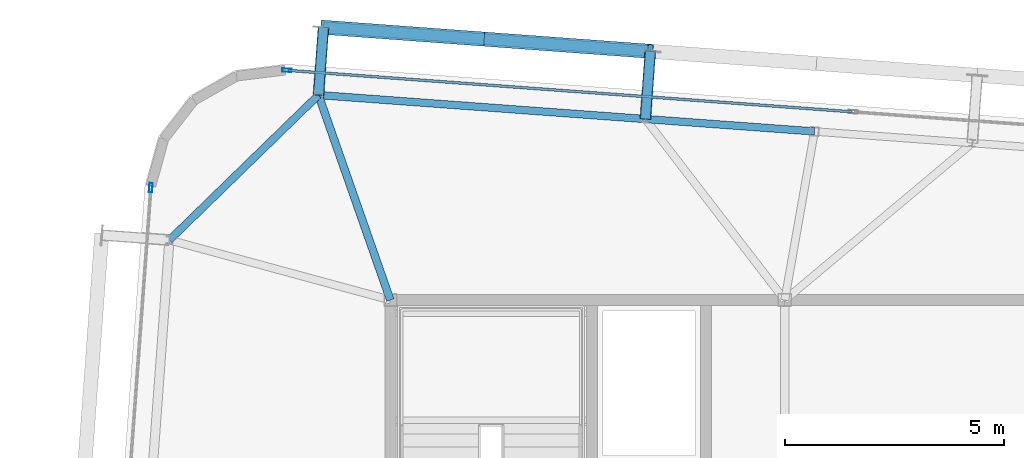
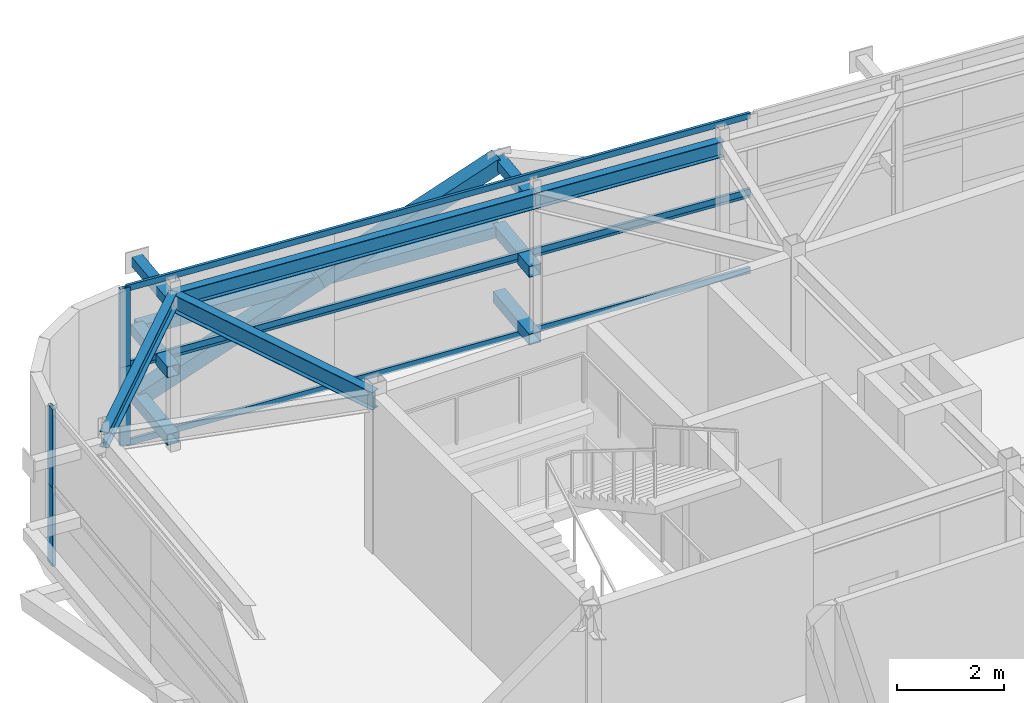
# One storey, part 20 of 35: 17 members, 4 beams, 4 elements without a shape of their own.
"""IFC4 building model written with IfcOpenShell, lengths in metres."""

from ifc_helpers import new_model, si_unit, direction, frame, origin, origin_2d, place, context, subcontext, project, spatial, hollow_rectangle, i_section, extrude, source, transform, mapped, material, layer, layer_set, material_profile, profile_set, type_object, element, aggregate, save


model = new_model("IFC4")

# Units and contexts
model_context = context("Model", 3, precision=1e-05, world=origin(), true_north=direction((0.0, 1.0)))
body_context = subcontext(model_context, "Body", "Model", "MODEL_VIEW")
ifc_project = project(units=[si_unit("LENGTHUNIT", "METRE"), si_unit("AREAUNIT", "SQUARE_METRE"), si_unit("VOLUMEUNIT", "CUBIC_METRE"), si_unit("PLANEANGLEUNIT", "RADIAN"), si_unit("MASSUNIT", "GRAM", prefix="KILO")], contexts=[model_context])

# Site, building, storey
site_placement = place(None, origin())
site = spatial("IfcSite", under=ifc_project, at=site_placement, CompositionType="ELEMENT")
building_placement = place(site_placement, origin())
building = spatial("IfcBuilding", under=site, at=building_placement, Name="Taldren Reach Tower", CompositionType="ELEMENT")
storey_placement = place(building_placement, frame((0.0, 0.0, 249.199951171875)))
storey = spatial("IfcBuildingStorey", under=building, at=storey_placement, Name="L76", CompositionType="ELEMENT", Elevation=249.199951171875)

# Members
ifc_material_1 = material(Name="Steel Gr 350 (C350L0)", Category="steel")
ifc_material_profile_1 = material_profile(ifc_material_1, hollow_rectangle(XDim=0.25, YDim=0.25, WallThickness=0.010009765625, at=origin_2d()), Name="250x250x10.0SHS")
ifc_profile_set_1 = profile_set([ifc_material_profile_1], Name="Steel Gr 350 (C350L0)")
member_type_1 = type_object("IfcMemberType", Name="MB-POST250", PredefinedType="POST", material=ifc_profile_set_1)
shared_shape_1 = source(origin(), body_context, "Body", "SweptSolid", [
    extrude(hollow_rectangle(XDim=0.25, YDim=0.25, WallThickness=0.010009765625, at=origin_2d()), origin(), (0.0, 0.0, 1.0), 1.5498046875),
])
for number, where, z_axis, x_axis, name in (
    (1, (17.35986328125, 36.678955078125, 0.219970703125), (0.073250797913, 0.997313551801, 0.0), (-0.997313551801, 0.073250797913, 0.0), "Exoskeleton base diaphragm tie strut B5-N1 L76"),
    (2, (17.35986328125, 36.678955078125, 1.755126953125), (0.073250797913, 0.997313551801, 0.0), (-0.997313551801, 0.073250797913, 0.0), "Exoskeleton mid-tier diaphragm tie B5-N1 L76"),
):
    element("IfcMember", number, at=place(storey_placement, frame(where, z_axis=z_axis, x_axis=x_axis)), inside=storey, type_object=member_type_1, Name=name, PredefinedType="POST", context=body_context, shape_type="MappedRepresentation", body=[
        mapped(shared_shape_1, transform((0.0, 0.0, 0.0), scale=1.0)),
    ])
shared_shape_2 = source(origin(), body_context, "Body", "SweptSolid", [
    extrude(hollow_rectangle(XDim=0.25, YDim=0.25, WallThickness=0.010009765625, at=origin_2d()), origin(), (0.0, 0.0, 1.0), 1.550048828125),
])
for number, where, z_axis, x_axis, name in (
    (3, (24.819580078125, 36.131103515625, 0.219970703125), (0.07323929162, 0.997314396849, 0.0), (-0.997314396849, 0.07323929162, 0.0), "Exoskeleton base diaphragm tie strut B5-N2 L76"),
    (4, (24.819580078125, 36.131103515625, 1.755126953125), (0.07323929162, 0.997314396849, 0.0), (-0.997314396849, 0.07323929162, 0.0), "Exoskeleton mid-tier diaphragm tie B5-N2 L76"),
):
    element("IfcMember", number, at=place(storey_placement, frame(where, z_axis=z_axis, x_axis=x_axis)), inside=storey, type_object=member_type_1, Name=name, PredefinedType="POST", context=body_context, shape_type="MappedRepresentation", body=[
        mapped(shared_shape_2, transform((0.0, 0.0, 0.0), scale=1.0)),
    ])
ifc_material_2 = material(Name="Steel Gr 450 (C450L0)", Category="steel")
ifc_material_profile_2 = material_profile(ifc_material_2, hollow_rectangle(XDim=0.219970703125, YDim=0.219970703125, WallThickness=0.00830078125, at=origin_2d()), Name="220x220x8.2SHS")
ifc_profile_set_2 = profile_set([ifc_material_profile_2], Name="Steel Gr 450 (C450L0)")
member_type_2 = type_object("IfcMemberType", Name="MB-TIE219", PredefinedType="STRUT", material=ifc_profile_set_2)
shared_shape_3 = source(origin(), body_context, "Body", "SweptSolid", [
    extrude(hollow_rectangle(XDim=0.219970703125, YDim=0.219970703125, WallThickness=0.00830078125, at=origin_2d()), origin(), (0.0, 0.0, 1.0), 1.5498046875),
])
member_1_placement = place(storey_placement, frame((17.35986328125, 36.678955078125, 3.2900390625), z_axis=(0.073250797913, 0.997313551801, 0.0), x_axis=(-0.997313551801, 0.073250797913, 0.0)))
element("IfcMember", 5, at=member_1_placement, inside=storey, type_object=member_type_2, Name="Exoskeleton diaphragm tie strut B5-N1 L76", PredefinedType="STRUT", context=body_context, shape_type="MappedRepresentation", body=[
    mapped(shared_shape_3, transform((0.0, 0.0, 0.0), scale=1.0)),
])
shared_shape_4 = source(origin(), body_context, "Body", "SweptSolid", [
    extrude(hollow_rectangle(XDim=0.219970703125, YDim=0.219970703125, WallThickness=0.00830078125, at=origin_2d()), origin(), (0.0, 0.0, 1.0), 1.550048828125),
])
member_2_placement = place(storey_placement, frame((24.819580078125, 36.131103515625, 3.2900390625), z_axis=(0.07323929162, 0.997314396849, 0.0), x_axis=(-0.997314396849, 0.07323929162, 0.0)))
element("IfcMember", 6, at=member_2_placement, inside=storey, type_object=member_type_2, Name="Exoskeleton diaphragm tie strut B5-N2 L76", PredefinedType="STRUT", context=body_context, shape_type="MappedRepresentation", body=[
    mapped(shared_shape_4, transform((0.0, 0.0, 0.0), scale=1.0)),
])

# Beams
ifc_material_3 = material(Name="Steel Gr 350 (350PLUS)", Category="steel")
ifc_material_profile_3 = material_profile(ifc_material_3, i_section(OverallWidth=0.172119140625, OverallDepth=0.35888671875, WebThickness=0.008056640625, FlangeThickness=0.012939453125, at=origin_2d()), Name="360UB56.7")
ifc_profile_set_3 = profile_set([ifc_material_profile_3], Name="Steel Gr 350 (350PLUS)")
beam_type_1 = type_object("IfcBeamType", Name="SP-UB360", PredefinedType="SPANDREL", material=ifc_profile_set_3)
shared_shape_5 = source(origin(), body_context, "Body", "SweptSolid", [
    extrude(i_section(OverallWidth=0.172119140625, OverallDepth=0.35888671875, WebThickness=0.008056640625, FlangeThickness=0.012939453125, at=origin_2d()), origin(), (0.0, 0.0, 1.0), 7.479736328125),
])
beam_1_placement = place(storey_placement, frame((24.819580078125, 36.131103515625, 3.390625), z_axis=(-0.997314045547, 0.073244075215, 0.0), x_axis=(-0.073244075215, -0.997314045547, 0.0)))
element("IfcBeam", 7, at=beam_1_placement, inside=storey, type_object=beam_type_1, Name="Perimeter spandrel B5 N2-N1 L76", PredefinedType="SPANDREL", context=body_context, shape_type="MappedRepresentation", body=[
    mapped(shared_shape_5, transform((0.0, 0.0, 0.0), scale=1.0)),
])
shared_shape_6 = source(origin(), body_context, "Body", "SweptSolid", [
    extrude(i_section(OverallWidth=0.172119140625, OverallDepth=0.35888671875, WebThickness=0.008056640625, FlangeThickness=0.012939453125, at=origin_2d()), origin(), (0.0, 0.0, 1.0), 4.74609375),
])
beam_2_placement = place(storey_placement, frame((17.35986328125, 36.678955078125, 3.390625), z_axis=(-0.716711338436, -0.697369957309, 0.0), x_axis=(0.697369957309, -0.716711338436, 0.0)))
element("IfcBeam", 8, at=beam_2_placement, inside=storey, type_object=beam_type_1, Name="Perimeter spandrel B5 N1-W3 L76", PredefinedType="SPANDREL", context=body_context, shape_type="MappedRepresentation", body=[
    mapped(shared_shape_6, transform((0.0, 0.0, 0.0), scale=1.0)),
])
shared_shape_7 = source(origin(), body_context, "Body", "SweptSolid", [
    extrude(i_section(OverallWidth=0.172119140625, OverallDepth=0.35888671875, WebThickness=0.008056640625, FlangeThickness=0.012939453125, at=origin_2d()), origin(), (0.0, 0.0, 1.0), 3.8701171875),
])
beam_3_placement = place(storey_placement, frame((28.67919921875, 35.84765625, 3.390625), z_axis=(-0.997314202545, 0.073241937451, 0.0), x_axis=(-0.073241937451, -0.997314202545, 0.0)))
element("IfcBeam", 9, at=beam_3_placement, inside=storey, type_object=beam_type_1, Name="Perimeter spandrel B5 PJN1-N2 L76", PredefinedType="SPANDREL", context=body_context, shape_type="MappedRepresentation", body=[
    mapped(shared_shape_7, transform((0.0, 0.0, 0.0), scale=1.0)),
])
ifc_material_profile_4 = material_profile(ifc_material_3, i_section(OverallWidth=0.177978515625, OverallDepth=0.406005859375, WebThickness=0.0078125, FlangeThickness=0.0126953125, at=origin_2d()), Name="410UB59.7")
ifc_profile_set_4 = profile_set([ifc_material_profile_4], Name="Steel Gr 350 (350PLUS)")
beam_type_2 = type_object("IfcBeamType", Name="BM-UB410", PredefinedType="BEAM", material=ifc_profile_set_4)
shared_shape_8 = source(origin(), body_context, "Body", "SweptSolid", [
    extrude(i_section(OverallWidth=0.177978515625, OverallDepth=0.406005859375, WebThickness=0.0078125, FlangeThickness=0.0126953125, at=origin_2d()), origin(), (0.0, 0.0, 1.0), 4.9580078125),
])
beam_4_placement = place(storey_placement, frame((19.0, 32.0, 3.366943359375), z_axis=(-0.330800025288, 0.943700875951, 0.0), x_axis=(-0.943700875951, -0.330800025288, 0.0)))
element("IfcBeam", 10, at=beam_4_placement, inside=storey, type_object=beam_type_2, Name="Primary floor girder B5-N1 L76", PredefinedType="BEAM", context=body_context, shape_type="MappedRepresentation", body=[
    mapped(shared_shape_8, transform((0.0, 0.0, 0.0), scale=1.0)),
])

# Members
shared_shape_9 = source(origin(), body_context, "Body", "SweptSolid", [
    extrude(hollow_rectangle(XDim=0.25, YDim=0.25, WallThickness=0.010009765625, at=origin_2d()), origin(), (0.0, 0.0, 1.0), 7.479736328125),
])
member_3_placement = place(storey_placement, frame((17.473388671875, 38.224609375, 1.755126953125), z_axis=(0.997316429287, -0.07321161024, 0.0), x_axis=(0.07321161024, 0.997316429287, 0.0)))
element("IfcMember", 11, at=member_3_placement, inside=storey, type_object=member_type_1, Name="Exoskeleton mid-height ring chord B5-N1 L76", PredefinedType="POST", context=body_context, shape_type="MappedRepresentation", body=[
    mapped(shared_shape_9, transform((0.0, 0.0, 0.0), scale=1.0)),
])
ifc_material_profile_5 = material_profile(ifc_material_2, hollow_rectangle(XDim=0.324951171875, YDim=0.324951171875, WallThickness=0.0126953125, at=origin_2d()), Name="325x325x12.7SHS")
ifc_profile_set_5 = profile_set([ifc_material_profile_5], Name="Steel Gr 450 (C450L0)")
member_type_3 = type_object("IfcMemberType", Name="MB-BR324", PredefinedType="BRACE", material=ifc_profile_set_5)
shared_shape_10 = source(origin(), body_context, "Body", "SweptSolid", [
    extrude(hollow_rectangle(XDim=0.324951171875, YDim=0.324951171875, WallThickness=0.0126953125, at=origin_2d()), origin(), (0.0, 0.0, 1.0), 4.042724609375),
])
member_4_placement = place(storey_placement, frame((17.473388671875, 38.224609375, 0.219970703125), z_axis=(0.922615641565, -0.067755907176, 0.37972294503), x_axis=(0.07324169103, 0.997314220642, 0.0)))
element("IfcMember", 12, at=member_4_placement, inside=storey, type_object=member_type_3, Name="Exoskeleton Diagrid Brace B5-N1 L76", PredefinedType="BRACE", context=body_context, shape_type="MappedRepresentation", body=[
    mapped(shared_shape_10, transform((0.0, 0.0, 0.0), scale=1.0)),
])
shared_shape_11 = source(origin(), body_context, "Body", "SweptSolid", [
    extrude(hollow_rectangle(XDim=0.324951171875, YDim=0.324951171875, WallThickness=0.0126953125, at=origin_2d()), origin(), (0.0, 0.0, 1.0), 4.04248046875),
])
member_5_placement = place(storey_placement, frame((21.203369140625, 37.95068359375, 1.755126953125), z_axis=(0.922631587826, -0.067701119981, 0.379693970849), x_axis=(0.073181527281, 0.997318637179, 0.0)))
element("IfcMember", 13, at=member_5_placement, inside=storey, type_object=member_type_3, Name="Exoskeleton Diagrid Brace B5-N1 L76", PredefinedType="BRACE", context=body_context, shape_type="MappedRepresentation", body=[
    mapped(shared_shape_11, transform((0.0, 0.0, 0.0), scale=1.0)),
])

# Curtain wall, members
ifc_material_4 = material(Name="Aluminium and Low-E Glass Unitised System", Category="aluminium")
ifc_layer = layer(ifc_material_4, 0.159912109375)
ifc_layer_set = layer_set([ifc_layer], Name="Aluminium and Low-E Glass Unitised System")
curtain_wall_type = type_object("IfcCurtainWallType", Name="CW-SYS-6", PredefinedType="NOTDEFINED", material=ifc_layer_set)
curtain_wall_1_placement = place(storey_placement, origin())
curtain_wall_1 = element("IfcCurtainWall", 14, at=curtain_wall_1_placement, inside=storey, type_object=curtain_wall_type, Name="Unitised curtain wall CW-L76-N", PredefinedType="NOTDEFINED")
ifc_material_5 = material(Name="Anodised Aluminium 6063-T6", Category="aluminium")
ifc_material_profile_6 = material_profile(ifc_material_5, hollow_rectangle(XDim=0.06005859375, YDim=0.135009765625, WallThickness=0.00341796875, at=origin_2d()), Name="ALU-135x60x3.5RHS")
ifc_profile_set_6 = profile_set([ifc_material_profile_6], Name="Anodised Aluminium 6063-T6")
member_type_4 = type_object("IfcMemberType", Name="CW-TRN-150", PredefinedType="USERDEFINED", material=ifc_profile_set_6)
shared_shape_12 = source(origin(), body_context, "Body", "SweptSolid", [
    extrude(hollow_rectangle(XDim=0.06005859375, YDim=0.135009765625, WallThickness=0.00341796875, at=origin_2d()), origin(), (0.0, 0.0, 1.0), 12.887451171875),
])
member_6_placement = place(storey_placement, frame((29.52685546875, 36.296630859375, 0.030029296875), z_axis=(-0.997314487101, 0.07323806263, 0.0), x_axis=(-0.07323806263, -0.997314487101, 0.0)))
member_6 = element("IfcMember", 15, at=member_6_placement, type_object=member_type_4, Name="CW-6 transom 3.1", ObjectType="TRANSOM", PredefinedType="USERDEFINED", context=body_context, shape_type="MappedRepresentation", body=[
    mapped(shared_shape_12, transform((0.0, 0.0, 0.0), scale=1.0)),
])
member_7_placement = place(storey_placement, frame((29.52685546875, 36.296630859375, 1.755126953125), z_axis=(-0.997314487101, 0.07323806263, 0.0), x_axis=(-0.07323806263, -0.997314487101, 0.0)))
member_7 = element("IfcMember", 16, at=member_7_placement, type_object=member_type_4, Name="CW-6 transom 3.2", ObjectType="TRANSOM", PredefinedType="USERDEFINED", context=body_context, shape_type="MappedRepresentation", body=[
    mapped(shared_shape_12, transform((0.0, 0.0, 0.0), scale=1.0)),
])

curtain_wall_2_placement = place(storey_placement, origin())
curtain_wall_2 = element("IfcCurtainWall", 17, at=curtain_wall_2_placement, inside=storey, type_object=curtain_wall_type, Name="Unitised curtain wall CW-L76-N-T2", PredefinedType="NOTDEFINED")
member_8_placement = place(storey_placement, frame((29.52685546875, 36.296630859375, 1.81494140625), z_axis=(-0.997314487101, 0.07323806263, 0.0), x_axis=(-0.07323806263, -0.997314487101, 0.0)))
member_8 = element("IfcMember", 18, at=member_8_placement, type_object=member_type_4, Name="CW-6 transom 3.1", ObjectType="TRANSOM", PredefinedType="USERDEFINED", context=body_context, shape_type="MappedRepresentation", body=[
    mapped(shared_shape_12, transform((0.0, 0.0, 0.0), scale=1.0)),
])
member_9_placement = place(storey_placement, frame((29.52685546875, 36.296630859375, 3.5400390625), z_axis=(-0.997314487101, 0.07323806263, 0.0), x_axis=(-0.07323806263, -0.997314487101, 0.0)))
member_9 = element("IfcMember", 19, at=member_9_placement, type_object=member_type_4, Name="CW-6 transom 3.2", ObjectType="TRANSOM", PredefinedType="USERDEFINED", context=body_context, shape_type="MappedRepresentation", body=[
    mapped(shared_shape_12, transform((0.0, 0.0, 0.0), scale=1.0)),
])

# Member
ifc_material_profile_7 = material_profile(ifc_material_5, hollow_rectangle(XDim=0.074951171875, YDim=0.2099609375, WallThickness=0.00439453125, at=origin_2d()), Name="ALU-210x75x4.5RHS")
ifc_profile_set_7 = profile_set([ifc_material_profile_7], Name="Anodised Aluminium 6063-T6")
member_type_5 = type_object("IfcMemberType", Name="CW-MUL-200", PredefinedType="MULLION", material=ifc_profile_set_7)
shared_shape_13 = source(origin(), body_context, "Body", "SweptSolid", [
    extrude(hollow_rectangle(XDim=0.074951171875, YDim=0.2099609375, WallThickness=0.00439453125, at=origin_2d()), origin(), (0.0, 0.0, 1.0), 1.78515625),
])
member_10_placement = place(storey_placement, frame((16.63671875, 37.243408203125, 0.0), z_axis=(0.0, 0.0, 1.0), x_axis=(-0.073238213716, -0.997314476006, 0.0)))
member_10 = element("IfcMember", 20, at=member_10_placement, type_object=member_type_5, Name="CW-6 mullion 4", PredefinedType="MULLION", context=body_context, shape_type="MappedRepresentation", body=[
    mapped(shared_shape_13, transform((0.0, 0.0, 0.0), scale=1.0)),
])

aggregate(curtain_wall_1, [member_10, member_6, member_7])

# Curtain wall, member
curtain_wall_3_placement = place(storey_placement, origin())
curtain_wall_3 = element("IfcCurtainWall", 21, at=curtain_wall_3_placement, inside=storey, type_object=curtain_wall_type, Name="Unitised curtain wall CW-L76-W", PredefinedType="NOTDEFINED")
member_11_placement = place(storey_placement, frame((13.53466796875, 34.56591796875, 0.0), z_axis=(0.0, 0.0, 1.0), x_axis=(0.997314470951, -0.073238282558, 0.0)))
member_11 = element("IfcMember", 22, at=member_11_placement, type_object=member_type_5, Name="CW-6 mullion 1", PredefinedType="MULLION", context=body_context, shape_type="MappedRepresentation", body=[
    mapped(shared_shape_13, transform((0.0, 0.0, 0.0), scale=1.0)),
])
aggregate(curtain_wall_3, [member_11])

# Member
shared_shape_14 = source(origin(), body_context, "Body", "SweptSolid", [
    extrude(hollow_rectangle(XDim=0.074951171875, YDim=0.2099609375, WallThickness=0.00439453125, at=origin_2d()), origin(), (0.0, 0.0, 1.0), 1.784912109375),
])
member_12_placement = place(storey_placement, frame((16.63671875, 37.243408203125, 1.78515625), z_axis=(0.0, 0.0, 1.0), x_axis=(-0.073238213716, -0.997314476006, 0.0)))
member_12 = element("IfcMember", 23, at=member_12_placement, type_object=member_type_5, Name="CW-6 mullion 4", PredefinedType="MULLION", context=body_context, shape_type="MappedRepresentation", body=[
    mapped(shared_shape_14, transform((0.0, 0.0, 0.0), scale=1.0)),
])

aggregate(curtain_wall_2, [member_12, member_8, member_9])

# Curtain wall, member
curtain_wall_4_placement = place(storey_placement, origin())
curtain_wall_4 = element("IfcCurtainWall", 24, at=curtain_wall_4_placement, inside=storey, type_object=curtain_wall_type, Name="Unitised curtain wall CW-L76-W-T2", PredefinedType="NOTDEFINED")
member_13_placement = place(storey_placement, frame((13.53466796875, 34.56591796875, 1.78515625), z_axis=(0.0, 0.0, 1.0), x_axis=(0.997314470951, -0.073238282558, 0.0)))
member_13 = element("IfcMember", 25, at=member_13_placement, type_object=member_type_5, Name="CW-6 mullion 1", PredefinedType="MULLION", context=body_context, shape_type="MappedRepresentation", body=[
    mapped(shared_shape_14, transform((0.0, 0.0, 0.0), scale=1.0)),
])
aggregate(curtain_wall_4, [member_13])

save(model, "model.ifc")
